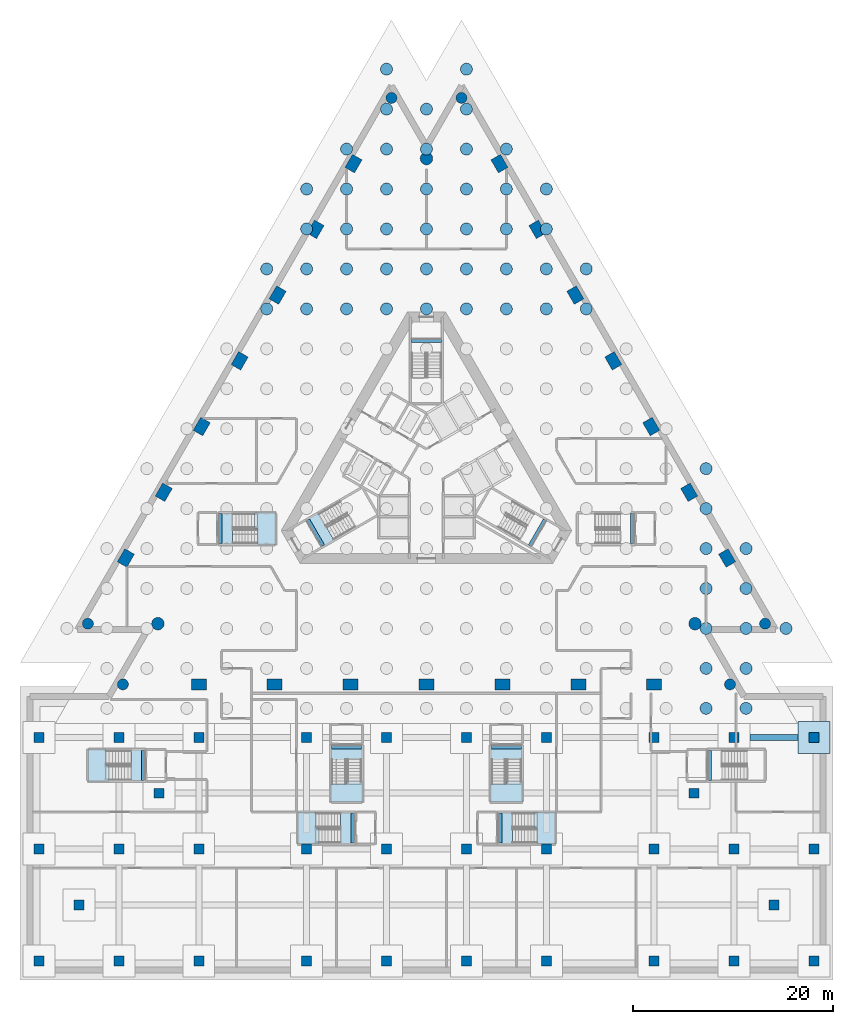
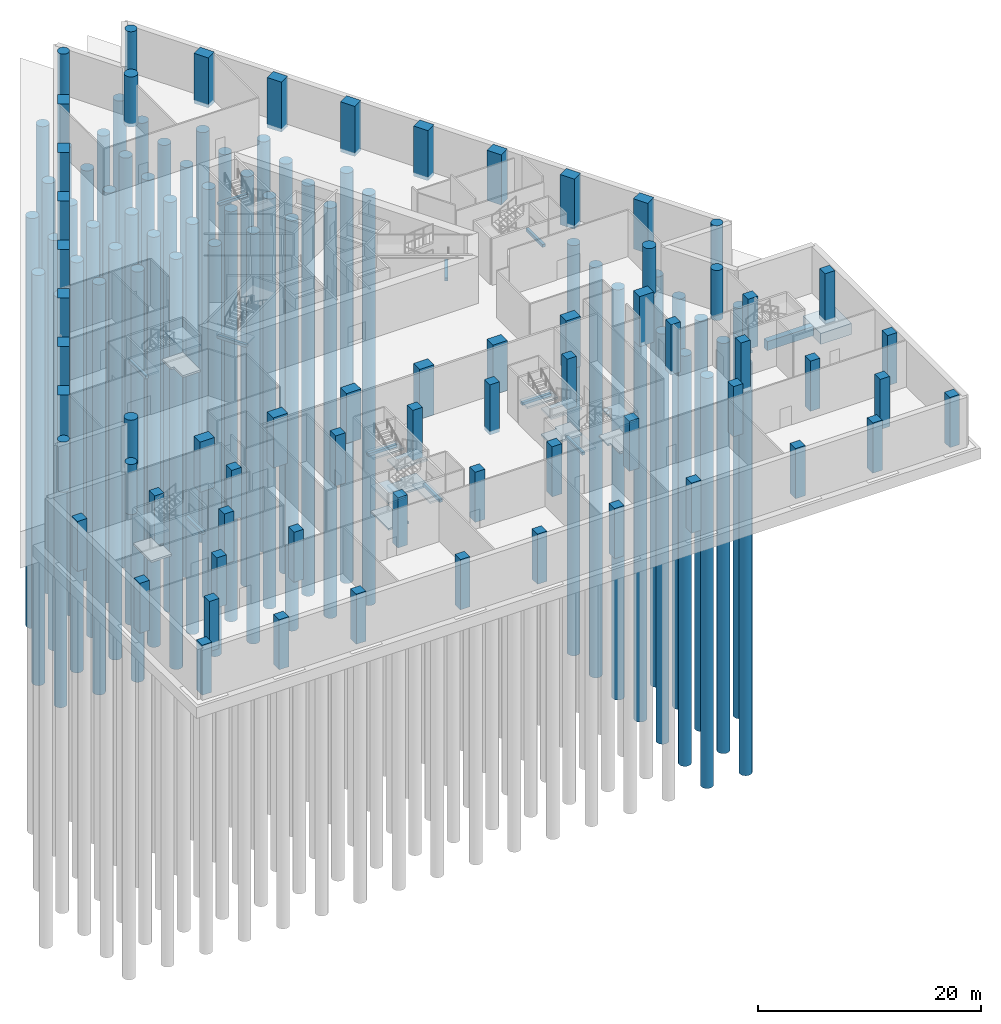
# One storey, part 2 of 20: 64 columns, 55 piles, 19 slabs, 11 beams, 2 footings, 7 elements without a shape of their own.
"""IFC4 building model written with IfcOpenShell, lengths in metres."""

from ifc_helpers import new_model, si_unit, direction, frame, origin, origin_2d, place, context, subcontext, project, spatial, polyline, rectangle, circle, outline, extrude, material, layer, layer_set, material_profile, profile_set, type_object, element, aggregate, save


model = new_model("IFC4")

# Units and contexts
model_context = context("Model", 3, precision=1e-05, world=origin(), true_north=direction((0.0, 1.0)))
body_context = subcontext(model_context, "Body", "Model", "MODEL_VIEW")
ifc_project = project(units=[si_unit("LENGTHUNIT", "METRE"), si_unit("AREAUNIT", "SQUARE_METRE"), si_unit("VOLUMEUNIT", "CUBIC_METRE"), si_unit("PLANEANGLEUNIT", "RADIAN"), si_unit("MASSUNIT", "GRAM", prefix="KILO")], contexts=[model_context])

# Site, building, storey
site_placement = place(None, origin())
site = spatial("IfcSite", under=ifc_project, at=site_placement, CompositionType="ELEMENT")
building_placement = place(site_placement, origin())
building = spatial("IfcBuilding", under=site, at=building_placement, Name="Triada Interchange Tower", CompositionType="ELEMENT")
storey_placement = place(building_placement, frame((0.0, 0.0, -5.5)))
storey = spatial("IfcBuildingStorey", under=building, at=storey_placement, Name="B1", CompositionType="ELEMENT", Elevation=-5.5)

# Piles
ifc_material_1 = material(Name="Concrete C30/37", Category="concrete")
ifc_material_profile_1 = material_profile(ifc_material_1, circle(Radius=0.60009765625, at=origin_2d()), Name="RC D1200")
ifc_profile_set_1 = profile_set([ifc_material_profile_1], Name="Concrete C30/37")
pile_type = type_object("IfcPileType", Name="Bored pile D1200", PredefinedType="BORED", material=ifc_profile_set_1)
for number, where, z_axis, x_axis, name in (
    (1, (28.0, -24.0, -4.39990234375), (0.0, 0.0, -1.0), (1.0, 0.0, 0.0), "Bored pile 016"),
    (2, (32.0, -24.0, -4.39990234375), (0.0, 0.0, -1.0), (1.0, 0.0, 0.0), "Bored pile 017"),
    (3, (28.0, -20.0, -4.39990234375), (0.0, 0.0, -1.0), (1.0, 0.0, 0.0), "Bored pile 033"),
    (4, (32.0, -20.0, -4.39990234375), (0.0, 0.0, -1.0), (1.0, 0.0, 0.0), "Bored pile 034"),
    (5, (28.0, -16.0, -4.39990234375), (0.0, 0.0, -1.0), (1.0, 0.0, 0.0), "Bored pile 051"),
    (6, (32.0, -16.0, -4.39990234375), (0.0, 0.0, -1.0), (1.0, 0.0, 0.0), "Bored pile 052"),
    (7, (36.0, -16.0, -4.39990234375), (0.0, 0.0, -1.0), (1.0, 0.0, 0.0), "Bored pile 053"),
    (8, (28.0, -12.0, -4.39990234375), (0.0, 0.0, -1.0), (1.0, 0.0, 0.0), "Bored pile 069"),
    (9, (32.0, -12.0, -4.39990234375), (0.0, 0.0, -1.0), (1.0, 0.0, 0.0), "Bored pile 070"),
    (10, (28.0, -8.0, -4.39990234375), (0.0, 0.0, -1.0), (1.0, 0.0, 0.0), "Bored pile 086"),
    (11, (32.0, -8.0, -4.39990234375), (0.0, 0.0, -1.0), (1.0, 0.0, 0.0), "Bored pile 087"),
    (12, (28.0, -4.0, -4.39990234375), (0.0, 0.0, -1.0), (1.0, 0.0, 0.0), "Bored pile 102"),
    (13, (28.0, 0.0, -4.39990234375), (0.0, 0.0, -1.0), (1.0, 0.0, 0.0), "Bored pile 117"),
    (14, (-16.0, 16.0, -4.39990234375), (0.0, 0.0, -1.0), (1.0, 0.0, 0.0), "Bored pile 153"),
    (15, (-12.0, 16.0, -4.39990234375), (0.0, 0.0, -1.0), (1.0, 0.0, 0.0), "Bored pile 154"),
    (16, (-8.0, 16.0, -4.39990234375), (0.0, 0.0, -1.0), (1.0, 0.0, 0.0), "Bored pile 155"),
    (17, (-4.0, 16.0, -4.39990234375), (0.0, 0.0, -1.0), (1.0, 0.0, 0.0), "Bored pile 156"),
    (18, (0.0, 16.0, -4.39990234375), (0.0, 0.0, -1.0), (1.0, 0.0, 0.0), "Bored pile 157"),
    (19, (4.0, 16.0, -4.39990234375), (0.0, 0.0, -1.0), (1.0, 0.0, 0.0), "Bored pile 158"),
    (20, (8.0, 16.0, -4.39990234375), (0.0, 0.0, -1.0), (1.0, 0.0, 0.0), "Bored pile 159"),
    (21, (12.0, 16.0, -4.39990234375), (0.0, 0.0, -1.0), (1.0, 0.0, 0.0), "Bored pile 160"),
    (22, (16.0, 16.0, -4.39990234375), (0.0, 0.0, -1.0), (1.0, 0.0, 0.0), "Bored pile 161"),
    (23, (-16.0, 20.0, -4.39990234375), (0.0, 0.0, -1.0), (1.0, 0.0, 0.0), "Bored pile 162"),
    (24, (-12.0, 20.0, -4.39990234375), (0.0, 0.0, -1.0), (1.0, 0.0, 0.0), "Bored pile 163"),
    (25, (-8.0, 20.0, -4.39990234375), (0.0, 0.0, -1.0), (1.0, 0.0, 0.0), "Bored pile 164"),
    (26, (-4.0, 20.0, -4.39990234375), (0.0, 0.0, -1.0), (1.0, 0.0, 0.0), "Bored pile 165"),
    (27, (0.0, 20.0, -4.39990234375), (0.0, 0.0, -1.0), (1.0, 0.0, 0.0), "Bored pile 166"),
    (28, (4.0, 20.0, -4.39990234375), (0.0, 0.0, -1.0), (1.0, 0.0, 0.0), "Bored pile 167"),
    (29, (8.0, 20.0, -4.39990234375), (0.0, 0.0, -1.0), (1.0, 0.0, 0.0), "Bored pile 168"),
    (30, (12.0, 20.0, -4.39990234375), (0.0, 0.0, -1.0), (1.0, 0.0, 0.0), "Bored pile 169"),
    (31, (16.0, 20.0, -4.39990234375), (0.0, 0.0, -1.0), (1.0, 0.0, 0.0), "Bored pile 170"),
    (32, (-12.0, 24.0, -4.39990234375), (0.0, 0.0, -1.0), (1.0, 0.0, 0.0), "Bored pile 171"),
    (33, (-8.0, 24.0, -4.39990234375), (0.0, 0.0, -1.0), (1.0, 0.0, 0.0), "Bored pile 172"),
    (34, (-4.0, 24.0, -4.39990234375), (0.0, 0.0, -1.0), (1.0, 0.0, 0.0), "Bored pile 173"),
    (35, (0.0, 24.0, -4.39990234375), (0.0, 0.0, -1.0), (1.0, 0.0, 0.0), "Bored pile 174"),
    (36, (4.0, 24.0, -4.39990234375), (0.0, 0.0, -1.0), (1.0, 0.0, 0.0), "Bored pile 175"),
    (37, (8.0, 24.0, -4.39990234375), (0.0, 0.0, -1.0), (1.0, 0.0, 0.0), "Bored pile 176"),
    (38, (12.0, 24.0, -4.39990234375), (0.0, 0.0, -1.0), (1.0, 0.0, 0.0), "Bored pile 177"),
    (39, (-12.0, 28.0, -4.39990234375), (0.0, 0.0, -1.0), (1.0, 0.0, 0.0), "Bored pile 178"),
    (40, (-8.0, 28.0, -4.39990234375), (0.0, 0.0, -1.0), (1.0, 0.0, 0.0), "Bored pile 179"),
    (41, (-4.0, 28.0, -4.39990234375), (0.0, 0.0, -1.0), (1.0, 0.0, 0.0), "Bored pile 180"),
    (42, (0.0, 28.0, -4.39990234375), (0.0, 0.0, -1.0), (1.0, 0.0, 0.0), "Bored pile 181"),
    (43, (4.0, 28.0, -4.39990234375), (0.0, 0.0, -1.0), (1.0, 0.0, 0.0), "Bored pile 182"),
    (44, (8.0, 28.0, -4.39990234375), (0.0, 0.0, -1.0), (1.0, 0.0, 0.0), "Bored pile 183"),
    (45, (12.0, 28.0, -4.39990234375), (0.0, 0.0, -1.0), (1.0, 0.0, 0.0), "Bored pile 184"),
    (46, (-8.0, 32.0, -4.39990234375), (0.0, 0.0, -1.0), (1.0, 0.0, 0.0), "Bored pile 185"),
    (47, (-4.0, 32.0, -4.39990234375), (0.0, 0.0, -1.0), (1.0, 0.0, 0.0), "Bored pile 186"),
    (48, (0.0, 32.0, -4.39990234375), (0.0, 0.0, -1.0), (1.0, 0.0, 0.0), "Bored pile 187"),
    (49, (4.0, 32.0, -4.39990234375), (0.0, 0.0, -1.0), (1.0, 0.0, 0.0), "Bored pile 188"),
    (50, (8.0, 32.0, -4.39990234375), (0.0, 0.0, -1.0), (1.0, 0.0, 0.0), "Bored pile 189"),
    (51, (-4.0, 36.0, -4.39990234375), (0.0, 0.0, -1.0), (1.0, 0.0, 0.0), "Bored pile 190"),
    (52, (0.0, 36.0, -4.39990234375), (0.0, 0.0, -1.0), (1.0, 0.0, 0.0), "Bored pile 191"),
    (53, (4.0, 36.0, -4.39990234375), (0.0, 0.0, -1.0), (1.0, 0.0, 0.0), "Bored pile 192"),
    (54, (-4.0, 40.0, -4.39990234375), (0.0, 0.0, -1.0), (1.0, 0.0, 0.0), "Bored pile 193"),
    (55, (4.0, 40.0, -4.39990234375), (0.0, 0.0, -1.0), (1.0, 0.0, 0.0), "Bored pile 194"),
):
    element("IfcPile", number, at=place(storey_placement, frame(where, z_axis=z_axis, x_axis=x_axis)), inside=storey, type_object=pile_type, Name=name, PredefinedType="BORED", context=body_context, shape_type="SweptSolid", body=[
        extrude(circle(Radius=0.60009765625, at=origin_2d()), origin(), (0.0, 0.0, 1.0), 45.0),
    ])

# Footings
ifc_material_2 = material(Name="Concrete C35/45", Category="concrete")
footing_type_1 = type_object("IfcFootingType", Name="Ground beam 600x1000", PredefinedType="FOOTING_BEAM", material=ifc_material_2)
footing_1_placement = place(storey_placement, frame((34.800048828125, -26.89990234375, -1.39990234375), z_axis=(0.0, 0.0, 1.0), x_axis=(1.0, 0.0, 0.0)))
element("IfcFooting", 56, at=footing_1_placement, inside=storey, type_object=footing_type_1, Name="Ground beam FG020", PredefinedType="FOOTING_BEAM", context=body_context, shape_type="SweptSolid", body=[
    extrude(rectangle(XDim=4.800048828125, YDim=0.60009765625, at=origin_2d()), origin(), (0.0, 0.0, 1.0), 1.0),
])
ifc_layer_1 = layer(ifc_material_2, 1.199951171875)
ifc_layer_set_1 = layer_set([ifc_layer_1], Name="Concrete C35/45")
footing_type_2 = type_object("IfcFootingType", Name="Pad footing 3200x3200", PredefinedType="PAD_FOOTING", material=ifc_layer_set_1)
footing_2_placement = place(storey_placement, frame((38.800048828125, -26.89990234375, -1.60009765625), z_axis=(0.0, 0.0, 1.0), x_axis=(1.0, 0.0, 0.0)))
element("IfcFooting", 57, at=footing_2_placement, inside=storey, type_object=footing_type_2, Name="Pad footing CX054", PredefinedType="PAD_FOOTING", context=body_context, shape_type="SweptSolid", body=[
    extrude(rectangle(XDim=3.199951171875, YDim=3.199951171875, at=origin_2d()), origin(), (0.0, 0.0, 1.0), 1.199951171875),
])

# Columns
ifc_material_3 = material(Name="Concrete C70/85", Category="concrete")
ifc_material_profile_2 = material_profile(ifc_material_3, rectangle(XDim=1.5, YDim=1.10009765625, at=origin_2d()), Name="RC 1500x1100")
ifc_profile_set_2 = profile_set([ifc_material_profile_2], Name="Concrete C70/85")
column_type_1 = type_object("IfcColumnType", Name="Column P face RC 1500x1100", PredefinedType="COLUMN", material=ifc_profile_set_2)
for number, where, z_axis, x_axis, name in (
    (58, (-7.306884765625, 30.5439453125, -0.39990234375), (0.0, 0.0, 1.0), (0.5, 0.866025403784, 0.0), "Column CP02 B1"),
    (59, (-11.10595703125, 23.9619140625, -0.39990234375), (0.0, 0.0, 1.0), (0.5, 0.866025403784, 0.0), "Column CP03 B1"),
    (60, (-14.906005859375, 17.381103515625, -0.39990234375), (0.0, 0.0, 1.0), (0.5, 0.866025403784, 0.0), "Column CP04 B1"),
    (61, (-18.7060546875, 10.800048828125, -0.39990234375), (0.0, 0.0, 1.0), (0.5, 0.866025403784, 0.0), "Column CP05 B1"),
    (62, (-22.506103515625, 4.218994140625, -0.39990234375), (0.0, 0.0, 1.0), (0.5, 0.866025403784, 0.0), "Column CP06 B1"),
    (63, (-26.305908203125, -2.362060546875, -0.39990234375), (0.0, 0.0, 1.0), (0.5, 0.866025403784, 0.0), "Column CP07 B1"),
    (64, (-30.10498046875, -8.944091796875, -0.39990234375), (0.0, 0.0, 1.0), (0.5, 0.866025403784, 0.0), "Column CP08 B1"),
    (65, (-22.798095703125, -21.60009765625, -0.39990234375), (0.0, 0.0, 1.0), (1.0, 0.0, 0.0), "Column CP11 B1"),
    (66, (-15.197998046875, -21.60009765625, -0.39990234375), (0.0, 0.0, 1.0), (1.0, 0.0, 0.0), "Column CP12 B1"),
    (67, (-7.59912109375, -21.60009765625, -0.39990234375), (0.0, 0.0, 1.0), (1.0, 0.0, 0.0), "Column CP13 B1"),
    (68, (0.0, -21.60009765625, -0.39990234375), (0.0, 0.0, 1.0), (1.0, 0.0, 0.0), "Column CP14 B1"),
    (69, (7.59912109375, -21.60009765625, -0.39990234375), (0.0, 0.0, 1.0), (1.0, 0.0, 0.0), "Column CP15 B1"),
    (70, (15.198974609375, -21.60009765625, -0.39990234375), (0.0, 0.0, 1.0), (1.0, 0.0, 0.0), "Column CP16 B1"),
    (71, (22.798095703125, -21.60009765625, -0.39990234375), (0.0, 0.0, 1.0), (1.0, 0.0, 0.0), "Column CP17 B1"),
    (72, (30.10498046875, -8.944091796875, -0.39990234375), (0.0, 0.0, 1.0), (-0.5, 0.866025403784, 0.0), "Column CP20 B1"),
    (73, (26.305908203125, -2.363037109375, -0.39990234375), (0.0, 0.0, 1.0), (-0.5, 0.866025403784, 0.0), "Column CP21 B1"),
    (74, (22.506103515625, 4.218994140625, -0.39990234375), (0.0, 0.0, 1.0), (-0.5, 0.866025403784, 0.0), "Column CP22 B1"),
    (75, (18.7060546875, 10.800048828125, -0.39990234375), (0.0, 0.0, 1.0), (-0.5, 0.866025403784, 0.0), "Column CP23 B1"),
    (76, (14.906005859375, 17.381103515625, -0.39990234375), (0.0, 0.0, 1.0), (-0.5, 0.866025403784, 0.0), "Column CP24 B1"),
    (77, (11.10595703125, 23.9619140625, -0.39990234375), (0.0, 0.0, 1.0), (-0.5, 0.866025403784, 0.0), "Column CP25 B1"),
    (78, (7.306884765625, 30.5439453125, -0.39990234375), (0.0, 0.0, 1.0), (-0.5, 0.866025403784, 0.0), "Column CP26 B1"),
):
    element("IfcColumn", number, at=place(storey_placement, frame(where, z_axis=z_axis, x_axis=x_axis)), inside=storey, type_object=column_type_1, Name=name, PredefinedType="COLUMN", context=body_context, shape_type="SweptSolid", body=[
        extrude(rectangle(XDim=1.5, YDim=1.10009765625, at=origin_2d()), origin(), (0.0, 0.0, 1.0), 5.5),
    ])
ifc_material_4 = material(Name="Concrete C50/60", Category="concrete")
ifc_material_profile_3 = material_profile(ifc_material_4, rectangle(XDim=1.0, YDim=1.0, at=origin_2d()), Name="RC 1000x1000")
ifc_profile_set_3 = profile_set([ifc_material_profile_3], Name="Concrete C50/60")
column_type_2 = type_object("IfcColumnType", Name="Column X annex RC 1000x1000", PredefinedType="COLUMN", material=ifc_profile_set_3)
for number, where, z_axis, x_axis, name in (
    (79, (-38.800048828125, -49.300048828125, -0.39990234375), (0.0, 0.0, 1.0), (1.0, 0.0, 0.0), "Column CX001 B1"),
    (80, (-30.800048828125, -49.300048828125, -0.39990234375), (0.0, 0.0, 1.0), (1.0, 0.0, 0.0), "Column CX002 B1"),
    (81, (-22.800048828125, -49.300048828125, -0.39990234375), (0.0, 0.0, 1.0), (1.0, 0.0, 0.0), "Column CX003 B1"),
    (82, (-12.0, -49.300048828125, -0.39990234375), (0.0, 0.0, 1.0), (1.0, 0.0, 0.0), "Column CX004 B1"),
    (83, (-4.0, -49.300048828125, -0.39990234375), (0.0, 0.0, 1.0), (1.0, 0.0, 0.0), "Column CX005 B1"),
    (84, (4.0, -49.300048828125, -0.39990234375), (0.0, 0.0, 1.0), (1.0, 0.0, 0.0), "Column CX006 B1"),
    (85, (12.0, -49.300048828125, -0.39990234375), (0.0, 0.0, 1.0), (1.0, 0.0, 0.0), "Column CX007 B1"),
    (86, (22.800048828125, -49.300048828125, -0.39990234375), (0.0, 0.0, 1.0), (1.0, 0.0, 0.0), "Column CX008 B1"),
    (87, (30.800048828125, -49.300048828125, -0.39990234375), (0.0, 0.0, 1.0), (1.0, 0.0, 0.0), "Column CX009 B1"),
    (88, (38.800048828125, -49.300048828125, -0.39990234375), (0.0, 0.0, 1.0), (1.0, 0.0, 0.0), "Column CX010 B1"),
    (89, (-34.800048828125, -43.699951171875, -0.39990234375), (0.0, 0.0, 1.0), (1.0, 0.0, 0.0), "Column CX011 B1"),
    (90, (34.800048828125, -43.699951171875, -0.39990234375), (0.0, 0.0, 1.0), (1.0, 0.0, 0.0), "Column CX020 B1"),
    (91, (-38.800048828125, -38.10009765625, -0.39990234375), (0.0, 0.0, 1.0), (1.0, 0.0, 0.0), "Column CX021 B1"),
    (92, (-30.800048828125, -38.10009765625, -0.39990234375), (0.0, 0.0, 1.0), (1.0, 0.0, 0.0), "Column CX023 B1"),
    (93, (-22.800048828125, -38.10009765625, -0.39990234375), (0.0, 0.0, 1.0), (1.0, 0.0, 0.0), "Column CX024 B1"),
    (94, (-12.0, -38.10009765625, -0.39990234375), (0.0, 0.0, 1.0), (1.0, 0.0, 0.0), "Column CX025 B1"),
    (95, (-4.0, -38.10009765625, -0.39990234375), (0.0, 0.0, 1.0), (1.0, 0.0, 0.0), "Column CX026 B1"),
    (96, (4.0, -38.10009765625, -0.39990234375), (0.0, 0.0, 1.0), (1.0, 0.0, 0.0), "Column CX027 B1"),
    (97, (12.0, -38.10009765625, -0.39990234375), (0.0, 0.0, 1.0), (1.0, 0.0, 0.0), "Column CX028 B1"),
    (98, (22.800048828125, -38.10009765625, -0.39990234375), (0.0, 0.0, 1.0), (1.0, 0.0, 0.0), "Column CX029 B1"),
    (99, (30.800048828125, -38.10009765625, -0.39990234375), (0.0, 0.0, 1.0), (1.0, 0.0, 0.0), "Column CX030 B1"),
    (100, (38.800048828125, -38.10009765625, -0.39990234375), (0.0, 0.0, 1.0), (1.0, 0.0, 0.0), "Column CX032 B1"),
    (101, (-26.800048828125, -32.5, -0.39990234375), (0.0, 0.0, 1.0), (1.0, 0.0, 0.0), "Column CX033 B1"),
    (102, (26.800048828125, -32.5, -0.39990234375), (0.0, 0.0, 1.0), (1.0, 0.0, 0.0), "Column CX040 B1"),
    (103, (-38.800048828125, -26.89990234375, -0.39990234375), (0.0, 0.0, 1.0), (1.0, 0.0, 0.0), "Column CX041 B1"),
    (104, (-30.800048828125, -26.89990234375, -0.39990234375), (0.0, 0.0, 1.0), (1.0, 0.0, 0.0), "Column CX043 B1"),
    (105, (-22.800048828125, -26.89990234375, -0.39990234375), (0.0, 0.0, 1.0), (1.0, 0.0, 0.0), "Column CX045 B1"),
    (106, (-12.0, -26.89990234375, -0.39990234375), (0.0, 0.0, 1.0), (1.0, 0.0, 0.0), "Column CX046 B1"),
    (107, (-4.0, -26.89990234375, -0.39990234375), (0.0, 0.0, 1.0), (1.0, 0.0, 0.0), "Column CX047 B1"),
    (108, (4.0, -26.89990234375, -0.39990234375), (0.0, 0.0, 1.0), (1.0, 0.0, 0.0), "Column CX048 B1"),
    (109, (12.0, -26.89990234375, -0.39990234375), (0.0, 0.0, 1.0), (1.0, 0.0, 0.0), "Column CX049 B1"),
    (110, (22.800048828125, -26.89990234375, -0.39990234375), (0.0, 0.0, 1.0), (1.0, 0.0, 0.0), "Column CX050 B1"),
    (111, (30.800048828125, -26.89990234375, -0.39990234375), (0.0, 0.0, 1.0), (1.0, 0.0, 0.0), "Column CX052 B1"),
    (112, (38.800048828125, -26.89990234375, -0.39990234375), (0.0, 0.0, 1.0), (1.0, 0.0, 0.0), "Column CX054 B1"),
):
    element("IfcColumn", number, at=place(storey_placement, frame(where, z_axis=z_axis, x_axis=x_axis)), inside=storey, type_object=column_type_2, Name=name, PredefinedType="COLUMN", context=body_context, shape_type="SweptSolid", body=[
        extrude(rectangle(XDim=1.0, YDim=1.0, at=origin_2d()), origin(), (0.0, 0.0, 1.0), 5.5),
    ])
ifc_material_profile_4 = material_profile(ifc_material_3, circle(Radius=0.550048828125, at=origin_2d()), Name="RC D1100")
ifc_profile_set_4 = profile_set([ifc_material_profile_4], Name="Concrete C70/85")
column_type_3 = type_object("IfcColumnType", Name="End column P RC D1100", PredefinedType="COLUMN", material=ifc_profile_set_4)
for number, where, z_axis, x_axis, name in (
    (113, (-3.507080078125, 37.125, -0.39990234375), (0.0, 0.0, 1.0), (0.5, 0.866025403784, 0.0), "Column CP01 B1"),
    (114, (-33.905029296875, -15.52490234375, -0.39990234375), (0.0, 0.0, 1.0), (0.5, 0.866025403784, 0.0), "Column CP09 B1"),
    (115, (-30.39697265625, -21.60009765625, -0.39990234375), (0.0, 0.0, 1.0), (1.0, 0.0, 0.0), "Column CP10 B1"),
    (116, (30.39697265625, -21.60009765625, -0.39990234375), (0.0, 0.0, 1.0), (1.0, 0.0, 0.0), "Column CP18 B1"),
    (117, (33.905029296875, -15.52490234375, -0.39990234375), (0.0, 0.0, 1.0), (-0.5, 0.866025403784, 0.0), "Column CP19 B1"),
    (118, (3.507080078125, 37.125, -0.39990234375), (0.0, 0.0, 1.0), (-0.5, 0.866025403784, 0.0), "Column CP27 B1"),
):
    element("IfcColumn", number, at=place(storey_placement, frame(where, z_axis=z_axis, x_axis=x_axis)), inside=storey, type_object=column_type_3, Name=name, PredefinedType="COLUMN", context=body_context, shape_type="SweptSolid", body=[
        extrude(circle(Radius=0.550048828125, at=origin_2d()), origin(), (0.0, 0.0, 1.0), 5.5),
    ])
ifc_material_profile_5 = material_profile(ifc_material_3, circle(Radius=0.625, at=origin_2d()), Name="RC D1250")
ifc_profile_set_5 = profile_set([ifc_material_profile_5], Name="Concrete C70/85")
column_type_4 = type_object("IfcColumnType", Name="Mega column P RC D1250", PredefinedType="COLUMN", material=ifc_profile_set_5)
for number, where, z_axis, x_axis, name in (
    (119, (0.0, 31.050048828125, -0.39990234375), (0.0, 0.0, 1.0), (1.0, 0.0, 0.0), "Column MP1 B1"),
    (120, (-26.889892578125, -15.52490234375, -0.39990234375), (0.0, 0.0, 1.0), (1.0, 0.0, 0.0), "Column MP2 B1"),
    (121, (26.889892578125, -15.52490234375, -0.39990234375), (0.0, 0.0, 1.0), (1.0, 0.0, 0.0), "Column MP3 B1"),
):
    element("IfcColumn", number, at=place(storey_placement, frame(where, z_axis=z_axis, x_axis=x_axis)), inside=storey, type_object=column_type_4, Name=name, PredefinedType="COLUMN", context=body_context, shape_type="SweptSolid", body=[
        extrude(circle(Radius=0.625, at=origin_2d()), origin(), (0.0, 0.0, 1.0), 5.5),
    ])

# Beams
ifc_material_profile_6 = material_profile(ifc_material_2, rectangle(XDim=0.300048828125, YDim=0.300048828125, at=origin_2d()), Name="RC 300x300")
ifc_profile_set_6 = profile_set([ifc_material_profile_6], Name="Concrete C35/45")
beam_type = type_object("IfcBeamType", Name="Landing support beam RC 300x300", PredefinedType="BEAM", material=ifc_profile_set_6)
beam_placement = place(storey_placement, frame((1.5, 12.800048828125, 2.3212890625), z_axis=(-1.0, 0.0, 0.0), x_axis=(0.0, -1.0, 0.0)))
element("IfcBeam", 122, at=beam_placement, inside=storey, type_object=beam_type, Name="Landing support beam SB1-1 1", PredefinedType="BEAM", context=body_context, shape_type="SweptSolid", body=[
    extrude(rectangle(XDim=0.300048828125, YDim=0.300048828125, at=origin_2d()), origin(), (0.0, 0.0, 1.0), 3.0),
])
for number, where, z_axis, x_axis, name in (
    (123, (-11.8349609375, -5.10107421875, 2.3212890625), (0.50002537861, -0.866010750942, 0.0), (0.866010750942, 0.50002537861, 0.0), "Landing support beam SB1-2 1"),
    (124, (10.3349609375, -7.698974609375, 2.3212890625), (0.50002537861, 0.866010750942, 0.0), (-0.866010750942, 0.50002537861, 0.0), "Landing support beam SB1-3 1"),
):
    element("IfcBeam", number, at=place(storey_placement, frame(where, z_axis=z_axis, x_axis=x_axis)), inside=storey, type_object=beam_type, Name=name, PredefinedType="BEAM", context=body_context, shape_type="SweptSolid", body=[
        extrude(rectangle(XDim=0.300048828125, YDim=0.300048828125, at=origin_2d()), origin(), (0.0, 0.0, 1.0), 2.999755859375),
    ])
for number, where, z_axis, x_axis, name in (
    (125, (-7.39990234375, -37.5, 2.3212890625), (0.0, 1.0, 0.0), (-1.0, 0.0, 0.0), "Landing support beam SB1-4 1"),
    (126, (7.39990234375, -34.5, 2.3212890625), (0.0, -1.0, 0.0), (1.0, 0.0, 0.0), "Landing support beam SB1-5 1"),
    (127, (-20.60009765625, -4.5, 2.3212890625), (0.0, -1.0, 0.0), (1.0, 0.0, 0.0), "Landing support beam SB1-6 1"),
    (128, (20.60009765625, -7.5, 2.3212890625), (0.0, 1.0, 0.0), (-1.0, 0.0, 0.0), "Landing support beam SB1-7 1"),
    (129, (-28.39990234375, -31.199951171875, 2.3212890625), (0.0, 1.0, 0.0), (-1.0, 0.0, 0.0), "Landing support beam SB1-8 1"),
    (130, (28.39990234375, -28.199951171875, 2.3212890625), (0.0, -1.0, 0.0), (1.0, 0.0, 0.0), "Landing support beam SB1-9 1"),
    (131, (9.5, -27.89990234375, 2.3212890625), (-1.0, 0.0, 0.0), (0.0, -1.0, 0.0), "Landing support beam SB1-10 1"),
    (132, (-6.5, -27.89990234375, 2.3212890625), (-1.0, 0.0, 0.0), (0.0, -1.0, 0.0), "Landing support beam SB1-11 1"),
):
    element("IfcBeam", number, at=place(storey_placement, frame(where, z_axis=z_axis, x_axis=x_axis)), inside=storey, type_object=beam_type, Name=name, PredefinedType="BEAM", context=body_context, shape_type="SweptSolid", body=[
        extrude(rectangle(XDim=0.300048828125, YDim=0.300048828125, at=origin_2d()), origin(), (0.0, 0.0, 1.0), 3.0),
    ])

# Stair, slab
stair_type = type_object("IfcStairType", Name="HALF TURN STAIR 1400", PredefinedType="HALF_TURN_STAIR", material=ifc_material_2)
stair_1_placement = place(storey_placement, origin())
stair_1 = element("IfcStair", 133, at=stair_1_placement, inside=storey, type_object=stair_type, Name="Exit stair SB1-2", PredefinedType="HALF_TURN_STAIR")
ifc_layer_2 = layer(ifc_material_2, 0.199951171875)
ifc_layer_set_2 = layer_set([ifc_layer_2], Name="STAIR LANDING 200")
slab_type = type_object("IfcSlabType", Name="STAIR LANDING 200", PredefinedType="LANDING", material=ifc_layer_set_2)
slab_1_placement = place(storey_placement, frame((0.0, 0.0, 2.471435546875)))
slab_1 = element("IfcSlab", 134, at=slab_1_placement, type_object=slab_type, Name="SB1-2 landing 3", PredefinedType="LANDING", context=body_context, shape_type="SweptSolid", body=[
    extrude(outline(polyline([(-10.845947265625, -4.4140625), (-12.05810546875, -5.114013671875), (-10.4580078125, -7.885986328125), (-9.24609375, -7.18603515625), (-10.845947265625, -4.4140625)])), origin(), (0.0, 0.0, 1.0), 0.199951171875),
])
aggregate(stair_1, [slab_1])

# Stair, slabs
stair_2_placement = place(storey_placement, origin())
stair_2 = element("IfcStair", 135, at=stair_2_placement, inside=storey, type_object=stair_type, Name="Exit stair SB1-4", PredefinedType="HALF_TURN_STAIR")
slab_2_placement = place(storey_placement, frame((0.0, 0.0, 1.05712890625)))
slab_2 = element("IfcSlab", 136, at=slab_2_placement, type_object=slab_type, Name="SB1-4 landing 1", PredefinedType="LANDING", context=body_context, shape_type="SweptSolid", body=[
    extrude(outline(polyline([(-12.89990234375, -37.60009765625), (-10.77001953125, -37.60009765625), (-10.77001953125, -36.0), (-11.080078125, -36.0), (-11.080078125, -34.39990234375), (-12.89990234375, -34.39990234375), (-12.89990234375, -37.60009765625)])), origin(), (0.0, 0.0, 1.0), 0.199951171875),
])
slab_3_placement = place(storey_placement, frame((0.0, 0.0, 3.885498046875)))
slab_3 = element("IfcSlab", 137, at=slab_3_placement, type_object=slab_type, Name="SB1-4 landing 2", PredefinedType="LANDING", context=body_context, shape_type="SweptSolid", body=[
    extrude(outline(polyline([(-12.89990234375, -37.60009765625), (-11.080078125, -37.60009765625), (-11.080078125, -34.39990234375), (-12.89990234375, -34.39990234375), (-12.89990234375, -37.60009765625)])), origin(), (0.0, 0.0, 1.0), 0.2001953125),
])
slab_4_placement = place(storey_placement, frame((0.0, 0.0, 2.471435546875)))
slab_4 = element("IfcSlab", 138, at=slab_4_placement, type_object=slab_type, Name="SB1-4 landing 3", PredefinedType="LANDING", context=body_context, shape_type="SweptSolid", body=[
    extrude(outline(polyline([(-8.60009765625, -37.60009765625), (-7.199951171875, -37.60009765625), (-7.199951171875, -34.39990234375), (-8.60009765625, -34.39990234375), (-8.60009765625, -37.60009765625)])), origin(), (0.0, 0.0, 1.0), 0.199951171875),
])
aggregate(stair_2, [slab_2, slab_3, slab_4])

stair_3_placement = place(storey_placement, origin())
stair_3 = element("IfcStair", 139, at=stair_3_placement, inside=storey, type_object=stair_type, Name="Exit stair SB1-5", PredefinedType="HALF_TURN_STAIR")
slab_5_placement = place(storey_placement, frame((0.0, 0.0, 1.05712890625)))
slab_5 = element("IfcSlab", 140, at=slab_5_placement, type_object=slab_type, Name="SB1-5 landing 1", PredefinedType="LANDING", context=body_context, shape_type="SweptSolid", body=[
    extrude(outline(polyline([(12.89990234375, -34.39990234375), (10.77001953125, -34.39990234375), (10.77001953125, -36.0), (11.080078125, -36.0), (11.080078125, -37.60009765625), (12.89990234375, -37.60009765625), (12.89990234375, -34.39990234375)])), origin(), (0.0, 0.0, 1.0), 0.199951171875),
])
slab_6_placement = place(storey_placement, frame((0.0, 0.0, 3.885498046875)))
slab_6 = element("IfcSlab", 141, at=slab_6_placement, type_object=slab_type, Name="SB1-5 landing 2", PredefinedType="LANDING", context=body_context, shape_type="SweptSolid", body=[
    extrude(outline(polyline([(12.89990234375, -34.39990234375), (11.080078125, -34.39990234375), (11.080078125, -37.60009765625), (12.89990234375, -37.60009765625), (12.89990234375, -34.39990234375)])), origin(), (0.0, 0.0, 1.0), 0.2001953125),
])
slab_7_placement = place(storey_placement, frame((0.0, 0.0, 2.471435546875)))
slab_7 = element("IfcSlab", 142, at=slab_7_placement, type_object=slab_type, Name="SB1-5 landing 3", PredefinedType="LANDING", context=body_context, shape_type="SweptSolid", body=[
    extrude(outline(polyline([(8.60009765625, -34.39990234375), (7.199951171875, -34.39990234375), (7.199951171875, -37.60009765625), (8.60009765625, -37.60009765625), (8.60009765625, -34.39990234375)])), origin(), (0.0, 0.0, 1.0), 0.199951171875),
])
aggregate(stair_3, [slab_5, slab_6, slab_7])

stair_4_placement = place(storey_placement, origin())
stair_4 = element("IfcStair", 143, at=stair_4_placement, inside=storey, type_object=stair_type, Name="Exit stair SB1-6", PredefinedType="HALF_TURN_STAIR")
slab_8_placement = place(storey_placement, frame((0.0, 0.0, 1.05712890625)))
slab_8 = element("IfcSlab", 144, at=slab_8_placement, type_object=slab_type, Name="SB1-6 landing 1", PredefinedType="LANDING", context=body_context, shape_type="SweptSolid", body=[
    extrude(outline(polyline([(-15.10009765625, -4.39990234375), (-17.22998046875, -4.39990234375), (-17.22998046875, -6.0), (-16.919921875, -6.0), (-16.919921875, -7.60009765625), (-15.10009765625, -7.60009765625), (-15.10009765625, -4.39990234375)])), origin(), (0.0, 0.0, 1.0), 0.199951171875),
])
slab_9_placement = place(storey_placement, frame((0.0, 0.0, 3.885498046875)))
slab_9 = element("IfcSlab", 145, at=slab_9_placement, type_object=slab_type, Name="SB1-6 landing 2", PredefinedType="LANDING", context=body_context, shape_type="SweptSolid", body=[
    extrude(outline(polyline([(-15.10009765625, -4.39990234375), (-16.919921875, -4.39990234375), (-16.919921875, -7.60009765625), (-15.10009765625, -7.60009765625), (-15.10009765625, -4.39990234375)])), origin(), (0.0, 0.0, 1.0), 0.2001953125),
])
slab_10_placement = place(storey_placement, frame((0.0, 0.0, 2.471435546875)))
slab_10 = element("IfcSlab", 146, at=slab_10_placement, type_object=slab_type, Name="SB1-6 landing 3", PredefinedType="LANDING", context=body_context, shape_type="SweptSolid", body=[
    extrude(outline(polyline([(-19.39990234375, -4.39990234375), (-20.800048828125, -4.39990234375), (-20.800048828125, -7.60009765625), (-19.39990234375, -7.60009765625), (-19.39990234375, -4.39990234375)])), origin(), (0.0, 0.0, 1.0), 0.199951171875),
])
aggregate(stair_4, [slab_8, slab_9, slab_10])

stair_5_placement = place(storey_placement, origin())
stair_5 = element("IfcStair", 147, at=stair_5_placement, inside=storey, type_object=stair_type, Name="Exit stair SB1-8", PredefinedType="HALF_TURN_STAIR")
slab_11_placement = place(storey_placement, frame((0.0, 0.0, 1.05712890625)))
slab_11 = element("IfcSlab", 148, at=slab_11_placement, type_object=slab_type, Name="SB1-8 landing 1", PredefinedType="LANDING", context=body_context, shape_type="SweptSolid", body=[
    extrude(outline(polyline([(-33.89990234375, -31.300048828125), (-31.77001953125, -31.300048828125), (-31.77001953125, -29.699951171875), (-32.080078125, -29.699951171875), (-32.080078125, -28.10009765625), (-33.89990234375, -28.10009765625), (-33.89990234375, -31.300048828125)])), origin(), (0.0, 0.0, 1.0), 0.199951171875),
])
slab_12_placement = place(storey_placement, frame((0.0, 0.0, 3.885498046875)))
slab_12 = element("IfcSlab", 149, at=slab_12_placement, type_object=slab_type, Name="SB1-8 landing 2", PredefinedType="LANDING", context=body_context, shape_type="SweptSolid", body=[
    extrude(outline(polyline([(-33.89990234375, -31.300048828125), (-32.080078125, -31.300048828125), (-32.080078125, -28.10009765625), (-33.89990234375, -28.10009765625), (-33.89990234375, -31.300048828125)])), origin(), (0.0, 0.0, 1.0), 0.2001953125),
])
slab_13_placement = place(storey_placement, frame((0.0, 0.0, 2.471435546875)))
slab_13 = element("IfcSlab", 150, at=slab_13_placement, type_object=slab_type, Name="SB1-8 landing 3", PredefinedType="LANDING", context=body_context, shape_type="SweptSolid", body=[
    extrude(outline(polyline([(-29.60009765625, -31.300048828125), (-28.199951171875, -31.300048828125), (-28.199951171875, -28.10009765625), (-29.60009765625, -28.10009765625), (-29.60009765625, -31.300048828125)])), origin(), (0.0, 0.0, 1.0), 0.199951171875),
])
aggregate(stair_5, [slab_11, slab_12, slab_13])

stair_6_placement = place(storey_placement, origin())
stair_6 = element("IfcStair", 151, at=stair_6_placement, inside=storey, type_object=stair_type, Name="Exit stair SB1-10", PredefinedType="HALF_TURN_STAIR")
slab_14_placement = place(storey_placement, frame((0.0, 0.0, 1.05712890625)))
slab_14 = element("IfcSlab", 152, at=slab_14_placement, type_object=slab_type, Name="SB1-10 landing 1", PredefinedType="LANDING", context=body_context, shape_type="SweptSolid", body=[
    extrude(outline(polyline([(9.60009765625, -33.39990234375), (9.60009765625, -31.27001953125), (8.0, -31.27001953125), (8.0, -31.580078125), (6.39990234375, -31.580078125), (6.39990234375, -33.39990234375), (9.60009765625, -33.39990234375)])), origin(), (0.0, 0.0, 1.0), 0.199951171875),
])
slab_15_placement = place(storey_placement, frame((0.0, 0.0, 3.885498046875)))
slab_15 = element("IfcSlab", 153, at=slab_15_placement, type_object=slab_type, Name="SB1-10 landing 2", PredefinedType="LANDING", context=body_context, shape_type="SweptSolid", body=[
    extrude(outline(polyline([(9.60009765625, -33.39990234375), (9.60009765625, -31.580078125), (6.39990234375, -31.580078125), (6.39990234375, -33.39990234375), (9.60009765625, -33.39990234375)])), origin(), (0.0, 0.0, 1.0), 0.2001953125),
])
slab_16_placement = place(storey_placement, frame((0.0, 0.0, 2.471435546875)))
slab_16 = element("IfcSlab", 154, at=slab_16_placement, type_object=slab_type, Name="SB1-10 landing 3", PredefinedType="LANDING", context=body_context, shape_type="SweptSolid", body=[
    extrude(outline(polyline([(9.60009765625, -29.10009765625), (9.60009765625, -27.699951171875), (6.39990234375, -27.699951171875), (6.39990234375, -29.10009765625), (9.60009765625, -29.10009765625)])), origin(), (0.0, 0.0, 1.0), 0.199951171875),
])
aggregate(stair_6, [slab_14, slab_15, slab_16])

stair_7_placement = place(storey_placement, origin())
stair_7 = element("IfcStair", 155, at=stair_7_placement, inside=storey, type_object=stair_type, Name="Exit stair SB1-11", PredefinedType="HALF_TURN_STAIR")
slab_17_placement = place(storey_placement, frame((0.0, 0.0, 1.05712890625)))
slab_17 = element("IfcSlab", 156, at=slab_17_placement, type_object=slab_type, Name="SB1-11 landing 1", PredefinedType="LANDING", context=body_context, shape_type="SweptSolid", body=[
    extrude(outline(polyline([(-6.39990234375, -33.39990234375), (-6.39990234375, -31.27001953125), (-8.0, -31.27001953125), (-8.0, -31.580078125), (-9.60009765625, -31.580078125), (-9.60009765625, -33.39990234375), (-6.39990234375, -33.39990234375)])), origin(), (0.0, 0.0, 1.0), 0.199951171875),
])
slab_18_placement = place(storey_placement, frame((0.0, 0.0, 3.885498046875)))
slab_18 = element("IfcSlab", 157, at=slab_18_placement, type_object=slab_type, Name="SB1-11 landing 2", PredefinedType="LANDING", context=body_context, shape_type="SweptSolid", body=[
    extrude(outline(polyline([(-6.39990234375, -33.39990234375), (-6.39990234375, -31.580078125), (-9.60009765625, -31.580078125), (-9.60009765625, -33.39990234375), (-6.39990234375, -33.39990234375)])), origin(), (0.0, 0.0, 1.0), 0.2001953125),
])
slab_19_placement = place(storey_placement, frame((0.0, 0.0, 2.471435546875)))
slab_19 = element("IfcSlab", 158, at=slab_19_placement, type_object=slab_type, Name="SB1-11 landing 3", PredefinedType="LANDING", context=body_context, shape_type="SweptSolid", body=[
    extrude(outline(polyline([(-6.39990234375, -29.10009765625), (-6.39990234375, -27.699951171875), (-9.60009765625, -27.699951171875), (-9.60009765625, -29.10009765625), (-6.39990234375, -29.10009765625)])), origin(), (0.0, 0.0, 1.0), 0.199951171875),
])
aggregate(stair_7, [slab_17, slab_18, slab_19])

save(model, "model.ifc")
